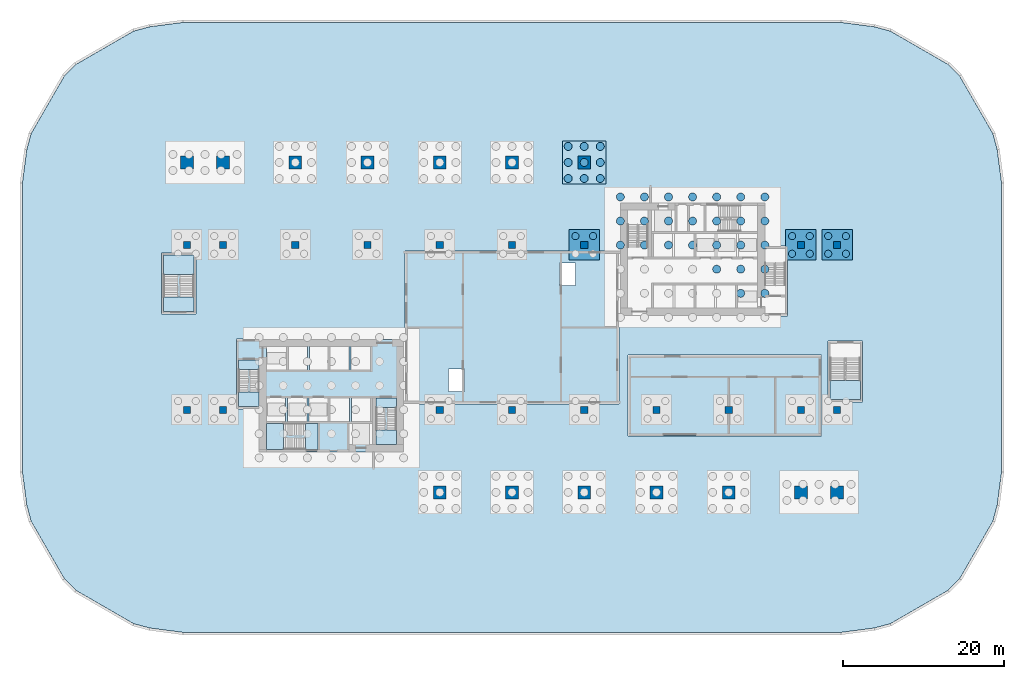
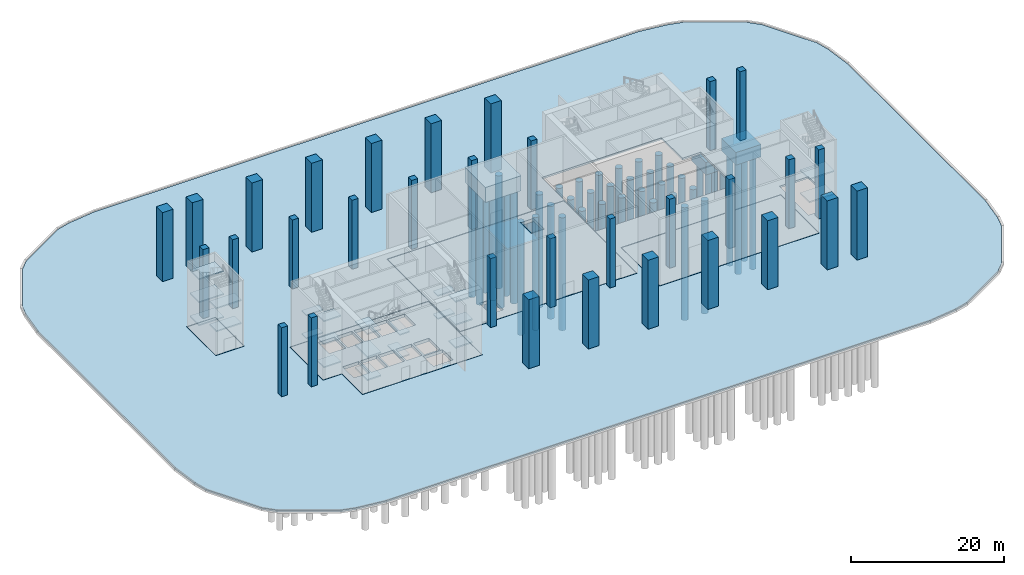
# One storey, part 2 of 26: 45 piles, 32 columns, 27 slabs, 4 footings, 5 elements without a shape of their own.
"""IFC4 building model written with IfcOpenShell, lengths in metres."""

from ifc_helpers import new_model, si_unit, direction, frame, origin, origin_2d, place, context, subcontext, project, spatial, polyline, rectangle, circle, outline, extrude, material, layer, layer_set, material_profile, profile_set, type_object, element, aggregate, save


model = new_model("IFC4")

# Units and contexts
model_context = context("Model", 3, precision=1e-05, world=origin(), true_north=direction((0.0, 1.0)))
body_context = subcontext(model_context, "Body", "Model", "MODEL_VIEW")
ifc_project = project(units=[si_unit("LENGTHUNIT", "METRE"), si_unit("AREAUNIT", "SQUARE_METRE"), si_unit("VOLUMEUNIT", "CUBIC_METRE"), si_unit("PLANEANGLEUNIT", "RADIAN"), si_unit("MASSUNIT", "GRAM", prefix="KILO")], contexts=[model_context])

# Site, building, storey
site_placement = place(None, origin())
site = spatial("IfcSite", under=ifc_project, at=site_placement, CompositionType="ELEMENT")
building_placement = place(site_placement, origin())
building = spatial("IfcBuilding", under=site, at=building_placement, Name="Kajstack Hotel Tower", CompositionType="ELEMENT")
storey_placement = place(building_placement, origin())
storey = spatial("IfcBuildingStorey", under=building, at=storey_placement, Name="L00", CompositionType="ELEMENT", Elevation=0.0)

# Piles
ifc_material_1 = material(Name="Concrete C35/45", Category="concrete")
ifc_material_profile_1 = material_profile(ifc_material_1, circle(Radius=0.5, at=origin_2d()), Name="RC round 1000")
ifc_profile_set_1 = profile_set([ifc_material_profile_1], Name="Concrete C35/45")
pile_type_1 = type_object("IfcPileType", Name="Bored pile 1000 C35/45", PredefinedType="BORED", material=ifc_profile_set_1)
for number, where, z_axis, x_axis, name in (
    (1, (13.5, 10.25, -2.89990234375), (0.0, 0.0, -1.0), (1.0, 0.0, 0.0), "S-pile-E-04"),
    (2, (13.5, 13.25, -2.89990234375), (0.0, 0.0, -1.0), (1.0, 0.0, 0.0), "S-pile-E-05"),
    (3, (13.5, 16.25, -2.89990234375), (0.0, 0.0, -1.0), (1.0, 0.0, 0.0), "S-pile-E-06"),
    (4, (16.5, 10.25, -2.89990234375), (0.0, 0.0, -1.0), (1.0, 0.0, 0.0), "S-pile-E-10"),
    (5, (16.5, 13.25, -2.89990234375), (0.0, 0.0, -1.0), (1.0, 0.0, 0.0), "S-pile-E-11"),
    (6, (16.5, 16.25, -2.89990234375), (0.0, 0.0, -1.0), (1.0, 0.0, 0.0), "S-pile-E-12"),
    (7, (19.5, 10.25, -2.89990234375), (0.0, 0.0, -1.0), (1.0, 0.0, 0.0), "S-pile-E-16"),
    (8, (19.5, 13.25, -2.89990234375), (0.0, 0.0, -1.0), (1.0, 0.0, 0.0), "S-pile-E-17"),
    (9, (19.5, 16.25, -2.89990234375), (0.0, 0.0, -1.0), (1.0, 0.0, 0.0), "S-pile-E-18"),
    (10, (22.5, 10.25, -2.89990234375), (0.0, 0.0, -1.0), (1.0, 0.0, 0.0), "S-pile-E-22"),
    (11, (22.5, 13.25, -2.89990234375), (0.0, 0.0, -1.0), (1.0, 0.0, 0.0), "S-pile-E-23"),
    (12, (22.5, 16.25, -2.89990234375), (0.0, 0.0, -1.0), (1.0, 0.0, 0.0), "S-pile-E-24"),
    (13, (25.5, 7.25, -2.89990234375), (0.0, 0.0, -1.0), (1.0, 0.0, 0.0), "S-pile-E-27"),
    (14, (25.5, 10.25, -2.89990234375), (0.0, 0.0, -1.0), (1.0, 0.0, 0.0), "S-pile-E-28"),
    (15, (25.5, 13.25, -2.89990234375), (0.0, 0.0, -1.0), (1.0, 0.0, 0.0), "S-pile-E-29"),
    (16, (25.5, 16.25, -2.89990234375), (0.0, 0.0, -1.0), (1.0, 0.0, 0.0), "S-pile-E-30"),
    (17, (28.5, 4.25, -2.89990234375), (0.0, 0.0, -1.0), (1.0, 0.0, 0.0), "S-pile-E-32"),
    (18, (28.5, 7.25, -2.89990234375), (0.0, 0.0, -1.0), (1.0, 0.0, 0.0), "S-pile-E-33"),
    (19, (28.5, 10.25, -2.89990234375), (0.0, 0.0, -1.0), (1.0, 0.0, 0.0), "S-pile-E-34"),
    (20, (28.5, 13.25, -2.89990234375), (0.0, 0.0, -1.0), (1.0, 0.0, 0.0), "S-pile-E-35"),
    (21, (28.5, 16.25, -2.89990234375), (0.0, 0.0, -1.0), (1.0, 0.0, 0.0), "S-pile-E-36"),
    (22, (31.5, 4.25, -2.89990234375), (0.0, 0.0, -1.0), (1.0, 0.0, 0.0), "S-pile-E-38"),
    (23, (31.5, 7.25, -2.89990234375), (0.0, 0.0, -1.0), (1.0, 0.0, 0.0), "S-pile-E-39"),
    (24, (31.5, 10.25, -2.89990234375), (0.0, 0.0, -1.0), (1.0, 0.0, 0.0), "S-pile-E-40"),
    (25, (31.5, 13.25, -2.89990234375), (0.0, 0.0, -1.0), (1.0, 0.0, 0.0), "S-pile-E-41"),
    (26, (31.5, 16.25, -2.89990234375), (0.0, 0.0, -1.0), (1.0, 0.0, 0.0), "S-pile-E-42"),
    (27, (7.0, 18.550048828125, -2.800048828125), (0.0, 0.0, -1.0), (1.0, 0.0, 0.0), "S-pile-mega-+9p0+20p6-1"),
    (28, (7.0, 20.550048828125, -2.800048828125), (0.0, 0.0, -1.0), (1.0, 0.0, 0.0), "S-pile-mega-+9p0+20p6-2"),
    (29, (7.0, 22.550048828125, -2.800048828125), (0.0, 0.0, -1.0), (1.0, 0.0, 0.0), "S-pile-mega-+9p0+20p6-3"),
    (30, (9.0, 18.550048828125, -2.800048828125), (0.0, 0.0, -1.0), (1.0, 0.0, 0.0), "S-pile-mega-+9p0+20p6-4"),
    (31, (9.0, 20.550048828125, -2.800048828125), (0.0, 0.0, -1.0), (1.0, 0.0, 0.0), "S-pile-mega-+9p0+20p6-5"),
    (32, (9.0, 22.550048828125, -2.800048828125), (0.0, 0.0, -1.0), (1.0, 0.0, 0.0), "S-pile-mega-+9p0+20p6-6"),
    (33, (11.0, 18.550048828125, -2.800048828125), (0.0, 0.0, -1.0), (1.0, 0.0, 0.0), "S-pile-mega-+9p0+20p6-7"),
    (34, (11.0, 20.550048828125, -2.800048828125), (0.0, 0.0, -1.0), (1.0, 0.0, 0.0), "S-pile-mega-+9p0+20p6-8"),
    (35, (11.0, 22.550048828125, -2.800048828125), (0.0, 0.0, -1.0), (1.0, 0.0, 0.0), "S-pile-mega-+9p0+20p6-9"),
):
    element("IfcPile", number, at=place(storey_placement, frame(where, z_axis=z_axis, x_axis=x_axis)), inside=storey, type_object=pile_type_1, Name=name, PredefinedType="BORED", context=body_context, shape_type="SweptSolid", body=[
        extrude(circle(Radius=0.5, at=origin_2d()), origin(), (0.0, 0.0, 1.0), 18.0),
    ])
ifc_material_profile_2 = material_profile(ifc_material_1, circle(Radius=0.449951171875, at=origin_2d()), Name="RC round 900")
ifc_profile_set_2 = profile_set([ifc_material_profile_2], Name="Concrete C35/45")
pile_type_2 = type_object("IfcPileType", Name="Bored pile 900 C35/45", PredefinedType="BORED", material=ifc_profile_set_2)
for number, where, z_axis, x_axis, name in (
    (36, (7.89990234375, 11.375, -2.39990234375), (0.0, 0.0, -1.0), (1.0, 0.0, 0.0), "S-pile-interior-+9p0+10p3-3"),
    (37, (10.10009765625, 11.375, -2.39990234375), (0.0, 0.0, -1.0), (1.0, 0.0, 0.0), "S-pile-interior-+9p0+10p3-4"),
    (38, (34.89990234375, 9.175048828125, -2.39990234375), (0.0, 0.0, -1.0), (1.0, 0.0, 0.0), "S-pile-interior-+36p0+10p3-1"),
    (39, (37.10009765625, 9.175048828125, -2.39990234375), (0.0, 0.0, -1.0), (1.0, 0.0, 0.0), "S-pile-interior-+36p0+10p3-2"),
    (40, (34.89990234375, 11.375, -2.39990234375), (0.0, 0.0, -1.0), (1.0, 0.0, 0.0), "S-pile-interior-+36p0+10p3-3"),
    (41, (37.10009765625, 11.375, -2.39990234375), (0.0, 0.0, -1.0), (1.0, 0.0, 0.0), "S-pile-interior-+36p0+10p3-4"),
    (42, (39.39990234375, 9.175048828125, -2.39990234375), (0.0, 0.0, -1.0), (1.0, 0.0, 0.0), "S-pile-interior-+40p5+10p3-1"),
    (43, (41.60009765625, 9.175048828125, -2.39990234375), (0.0, 0.0, -1.0), (1.0, 0.0, 0.0), "S-pile-interior-+40p5+10p3-2"),
    (44, (39.39990234375, 11.375, -2.39990234375), (0.0, 0.0, -1.0), (1.0, 0.0, 0.0), "S-pile-interior-+40p5+10p3-3"),
    (45, (41.60009765625, 11.375, -2.39990234375), (0.0, 0.0, -1.0), (1.0, 0.0, 0.0), "S-pile-interior-+40p5+10p3-4"),
):
    element("IfcPile", number, at=place(storey_placement, frame(where, z_axis=z_axis, x_axis=x_axis)), inside=storey, type_object=pile_type_2, Name=name, PredefinedType="BORED", context=body_context, shape_type="SweptSolid", body=[
        extrude(circle(Radius=0.449951171875, at=origin_2d()), origin(), (0.0, 0.0, 1.0), 18.0),
    ])

# Footings
ifc_material_2 = material(Name="Concrete C40/50", Category="concrete")
ifc_layer_1 = layer(ifc_material_2, 2.0)
ifc_layer_set_1 = layer_set([ifc_layer_1], Name="Column cap 3800 C40/50")
footing_type_1 = type_object("IfcFootingType", Name="Column cap 3800 C40/50", PredefinedType="PILE_CAP", material=ifc_layer_set_1)
for number, where, z_axis, x_axis, name in (
    (46, (9.0, 10.27490234375, -2.5), (0.0, 0.0, 1.0), (1.0, 0.0, 0.0), "S-cap-interior-+9p0+10p3"),
    (47, (36.0, 10.27490234375, -2.5), (0.0, 0.0, 1.0), (1.0, 0.0, 0.0), "S-cap-interior-+36p0+10p3"),
    (48, (40.5, 10.27490234375, -2.5), (0.0, 0.0, 1.0), (1.0, 0.0, 0.0), "S-cap-interior-+40p5+10p3"),
):
    element("IfcFooting", number, at=place(storey_placement, frame(where, z_axis=z_axis, x_axis=x_axis)), inside=storey, type_object=footing_type_1, Name=name, PredefinedType="PILE_CAP", context=body_context, shape_type="SweptSolid", body=[
        extrude(rectangle(XDim=3.800048828125, YDim=3.800048828125, at=origin_2d()), origin(), (0.0, 0.0, 1.0), 2.0),
    ])
ifc_layer_2 = layer(ifc_material_2, 2.39990234375)
ifc_layer_set_2 = layer_set([ifc_layer_2], Name="Mega-column cap 5400 C40/50")
footing_type_2 = type_object("IfcFootingType", Name="Mega-column cap 5400 C40/50", PredefinedType="PILE_CAP", material=ifc_layer_set_2)
footing_placement = place(storey_placement, frame((9.0, 20.550048828125, -2.89990234375), z_axis=(0.0, 0.0, 1.0), x_axis=(1.0, 0.0, 0.0)))
element("IfcFooting", 49, at=footing_placement, inside=storey, type_object=footing_type_2, Name="S-cap-mega-+9p0+20p6", PredefinedType="PILE_CAP", context=body_context, shape_type="SweptSolid", body=[
    extrude(rectangle(XDim=5.39990234375, YDim=5.39990234375, at=origin_2d()), origin(), (0.0, 0.0, 1.0), 2.39990234375),
])

# Columns
ifc_material_3 = material(Name="Concrete C70/85", Category="concrete")
ifc_material_profile_3 = material_profile(ifc_material_3, rectangle(XDim=1.60009765625, YDim=1.60009765625, at=origin_2d()), Name="RC 1600x1600")
ifc_profile_set_3 = profile_set([ifc_material_profile_3], Name="Concrete C70/85")
column_type_1 = type_object("IfcColumnType", Name="RC 1600x1600 C70/85", PredefinedType="COLUMN", material=ifc_profile_set_3)
for number, where, z_axis, x_axis, name in (
    (50, (-40.5, 20.550048828125, -0.5), (0.0, 0.0, 1.0), (1.0, 0.0, 0.0), "S-col-mega-L00--40p5+20p6"),
    (51, (-36.0, 20.550048828125, -0.5), (0.0, 0.0, 1.0), (1.0, 0.0, 0.0), "S-col-mega-L00--36p0+20p6"),
    (52, (-27.0, 20.550048828125, -0.5), (0.0, 0.0, 1.0), (1.0, 0.0, 0.0), "S-col-mega-L00--27p0+20p6"),
    (53, (-18.0, 20.550048828125, -0.5), (0.0, 0.0, 1.0), (1.0, 0.0, 0.0), "S-col-mega-L00--18p0+20p6"),
    (54, (-9.0, -20.550048828125, -0.5), (0.0, 0.0, 1.0), (1.0, 0.0, 0.0), "S-col-mega-L00--9p0-20p6"),
    (55, (-9.0, 20.550048828125, -0.5), (0.0, 0.0, 1.0), (1.0, 0.0, 0.0), "S-col-mega-L00--9p0+20p6"),
    (56, (0.0, -20.550048828125, -0.5), (0.0, 0.0, 1.0), (1.0, 0.0, 0.0), "S-col-mega-L00-+0p0-20p6"),
    (57, (0.0, 20.550048828125, -0.5), (0.0, 0.0, 1.0), (1.0, 0.0, 0.0), "S-col-mega-L00-+0p0+20p6"),
    (58, (9.0, -20.550048828125, -0.5), (0.0, 0.0, 1.0), (1.0, 0.0, 0.0), "S-col-mega-L00-+9p0-20p6"),
    (59, (9.0, 20.550048828125, -0.5), (0.0, 0.0, 1.0), (1.0, 0.0, 0.0), "S-col-mega-L00-+9p0+20p6"),
    (60, (18.0, -20.550048828125, -0.5), (0.0, 0.0, 1.0), (1.0, 0.0, 0.0), "S-col-mega-L00-+18p0-20p6"),
    (61, (27.0, -20.550048828125, -0.5), (0.0, 0.0, 1.0), (1.0, 0.0, 0.0), "S-col-mega-L00-+27p0-20p6"),
    (62, (36.0, -20.550048828125, -0.5), (0.0, 0.0, 1.0), (1.0, 0.0, 0.0), "S-col-mega-L00-+36p0-20p6"),
    (63, (40.5, -20.550048828125, -0.5), (0.0, 0.0, 1.0), (1.0, 0.0, 0.0), "S-col-mega-L00-+40p5-20p6"),
):
    element("IfcColumn", number, at=place(storey_placement, frame(where, z_axis=z_axis, x_axis=x_axis)), inside=storey, type_object=column_type_1, Name=name, PredefinedType="COLUMN", context=body_context, shape_type="SweptSolid", body=[
        extrude(rectangle(XDim=1.60009765625, YDim=1.60009765625, at=origin_2d()), origin(), (0.0, 0.0, 1.0), 11.5),
    ])
ifc_material_4 = material(Name="Concrete C50/60", Category="concrete")
ifc_material_profile_4 = material_profile(ifc_material_4, rectangle(XDim=0.89990234375, YDim=0.89990234375, at=origin_2d()), Name="RC 900x900")
ifc_profile_set_4 = profile_set([ifc_material_profile_4], Name="Concrete C50/60")
column_type_2 = type_object("IfcColumnType", Name="RC 900x900 C50/60", PredefinedType="COLUMN", material=ifc_profile_set_4)
for number, where, z_axis, x_axis, name in (
    (64, (-40.5, -10.27490234375, -0.5), (0.0, 0.0, 1.0), (1.0, 0.0, 0.0), "S-col-int-L00--40p5-10p3"),
    (65, (-40.5, 10.27490234375, -0.5), (0.0, 0.0, 1.0), (1.0, 0.0, 0.0), "S-col-int-L00--40p5+10p3"),
    (66, (-36.0, -10.27490234375, -0.5), (0.0, 0.0, 1.0), (1.0, 0.0, 0.0), "S-col-int-L00--36p0-10p3"),
    (67, (-36.0, 10.27490234375, -0.5), (0.0, 0.0, 1.0), (1.0, 0.0, 0.0), "S-col-int-L00--36p0+10p3"),
    (68, (-27.0, 10.27490234375, -0.5), (0.0, 0.0, 1.0), (1.0, 0.0, 0.0), "S-col-int-L00--27p0+10p3"),
    (69, (-18.0, 10.27490234375, -0.5), (0.0, 0.0, 1.0), (1.0, 0.0, 0.0), "S-col-int-L00--18p0+10p3"),
    (70, (-9.0, -10.27490234375, -0.5), (0.0, 0.0, 1.0), (1.0, 0.0, 0.0), "S-col-int-L00--9p0-10p3"),
    (71, (-9.0, 10.27490234375, -0.5), (0.0, 0.0, 1.0), (1.0, 0.0, 0.0), "S-col-int-L00--9p0+10p3"),
    (72, (0.0, -10.27490234375, -0.5), (0.0, 0.0, 1.0), (1.0, 0.0, 0.0), "S-col-int-L00-+0p0-10p3"),
    (73, (0.0, 10.27490234375, -0.5), (0.0, 0.0, 1.0), (1.0, 0.0, 0.0), "S-col-int-L00-+0p0+10p3"),
    (74, (9.0, -10.27490234375, -0.5), (0.0, 0.0, 1.0), (1.0, 0.0, 0.0), "S-col-int-L00-+9p0-10p3"),
    (75, (9.0, 10.27490234375, -0.5), (0.0, 0.0, 1.0), (1.0, 0.0, 0.0), "S-col-int-L00-+9p0+10p3"),
    (76, (18.0, -10.27490234375, -0.5), (0.0, 0.0, 1.0), (1.0, 0.0, 0.0), "S-col-int-L00-+18p0-10p3"),
    (77, (27.0, -10.27490234375, -0.5), (0.0, 0.0, 1.0), (1.0, 0.0, 0.0), "S-col-int-L00-+27p0-10p3"),
    (78, (36.0, -10.27490234375, -0.5), (0.0, 0.0, 1.0), (1.0, 0.0, 0.0), "S-col-int-L00-+36p0-10p3"),
    (79, (36.0, 10.27490234375, -0.5), (0.0, 0.0, 1.0), (1.0, 0.0, 0.0), "S-col-int-L00-+36p0+10p3"),
    (80, (40.5, -10.27490234375, -0.5), (0.0, 0.0, 1.0), (1.0, 0.0, 0.0), "S-col-int-L00-+40p5-10p3"),
    (81, (40.5, 10.27490234375, -0.5), (0.0, 0.0, 1.0), (1.0, 0.0, 0.0), "S-col-int-L00-+40p5+10p3"),
):
    element("IfcColumn", number, at=place(storey_placement, frame(where, z_axis=z_axis, x_axis=x_axis)), inside=storey, type_object=column_type_2, Name=name, PredefinedType="COLUMN", context=body_context, shape_type="SweptSolid", body=[
        extrude(rectangle(XDim=0.89990234375, YDim=0.89990234375, at=origin_2d()), origin(), (0.0, 0.0, 1.0), 11.5),
    ])

# Slabs
ifc_layer_3 = layer(ifc_material_1, 0.5)
ifc_layer_set_3 = layer_set([ifc_layer_3], Name="Ground slab 500")
slab_type_1 = type_object("IfcSlabType", Name="Ground slab 500", PredefinedType="BASESLAB", material=ifc_layer_set_3)
slab_1_placement = place(storey_placement, frame((0.0, 0.0, -0.5)))
element("IfcSlab", 82, at=slab_1_placement, inside=storey, type_object=slab_type_1, Name="Ground slab", PredefinedType="BASESLAB", context=body_context, shape_type="SweptSolid", body=[
    extrude(outline(polyline([(13.300048828125, -9.5), (-13.300048828125, -9.5), (-13.300048828125, 9.5), (13.300048828125, 9.5), (13.300048828125, -9.5)]), holes=[polyline([(-7.89990234375, -8.0), (-5.89990234375, -8.0), (-5.89990234375, -5.199951171875), (-7.89990234375, -5.199951171875), (-7.89990234375, -8.0)]), polyline([(7.89990234375, 8.0), (5.89990234375, 8.0), (5.89990234375, 5.199951171875), (7.89990234375, 5.199951171875), (7.89990234375, 8.0)])]), origin(), (0.0, 0.0, 1.0), 0.5),
])
slab_2_placement = place(storey_placement, frame((0.0, 0.0, -0.5)))
element("IfcSlab", 83, at=slab_2_placement, inside=storey, type_object=slab_type_1, Name="Ground slab", PredefinedType="BASESLAB", context=body_context, shape_type="SweptSolid", body=[
    extrude(outline(polyline([(38.5, -13.5), (14.5, -13.5), (14.5, -3.5), (38.5, -3.5), (38.5, -13.5)])), origin(), (0.0, 0.0, 1.0), 0.5),
])
slab_3_placement = place(storey_placement, frame((0.0, 0.0, -0.5)))
element("IfcSlab", 84, at=slab_3_placement, inside=storey, type_object=slab_type_1, Name="Ground slab", PredefinedType="BASESLAB", context=body_context, shape_type="SweptSolid", body=[
    extrude(outline(polyline([(-13.5, -1.5), (-13.5, -15.5), (-31.5, -15.5), (-31.5, -10.10009765625), (-34.300048828125, -10.10009765625), (-34.300048828125, -1.5), (-31.5, -1.5), (-13.5, -1.5)]), holes=[polyline([(-30.60009765625, -11.699951171875), (-28.199951171875, -11.699951171875), (-28.199951171875, -8.800048828125), (-30.60009765625, -8.800048828125), (-30.60009765625, -11.699951171875)]), polyline([(-27.949951171875, -11.699951171875), (-25.550048828125, -11.699951171875), (-25.550048828125, -8.800048828125), (-27.949951171875, -8.800048828125), (-27.949951171875, -11.699951171875)]), polyline([(-25.300048828125, -11.699951171875), (-22.89990234375, -11.699951171875), (-22.89990234375, -8.800048828125), (-25.300048828125, -8.800048828125), (-25.300048828125, -11.699951171875)]), polyline([(-22.64990234375, -11.699951171875), (-20.25, -11.699951171875), (-20.25, -8.800048828125), (-22.64990234375, -8.800048828125), (-22.64990234375, -11.699951171875)]), polyline([(-20.0, -11.699951171875), (-17.60009765625, -11.699951171875), (-17.60009765625, -8.800048828125), (-20.0, -8.800048828125), (-20.0, -11.699951171875)]), polyline([(-27.85009765625, -5.300048828125), (-25.5, -5.300048828125), (-25.5, -2.39990234375), (-27.85009765625, -2.39990234375), (-27.85009765625, -5.300048828125)]), polyline([(-25.25, -5.300048828125), (-22.89990234375, -5.300048828125), (-22.89990234375, -2.39990234375), (-25.25, -2.39990234375), (-25.25, -5.300048828125)]), polyline([(-22.64990234375, -5.300048828125), (-20.300048828125, -5.300048828125), (-20.300048828125, -2.39990234375), (-22.64990234375, -2.39990234375), (-22.64990234375, -5.300048828125)]), polyline([(-20.050048828125, -5.300048828125), (-17.60009765625, -5.300048828125), (-17.60009765625, -2.39990234375), (-20.050048828125, -2.39990234375), (-20.050048828125, -5.300048828125)]), polyline([(-20.300048828125, -14.60009765625), (-17.35009765625, -14.60009765625), (-17.35009765625, -11.949951171875), (-20.300048828125, -11.949951171875), (-20.300048828125, -14.60009765625)]), polyline([(-30.60009765625, -5.300048828125), (-28.10009765625, -5.300048828125), (-28.10009765625, -2.39990234375), (-30.60009765625, -2.39990234375), (-30.60009765625, -5.300048828125)])]), origin(), (0.0, 0.0, 1.0), 0.5),
])
slab_4_placement = place(storey_placement, frame((0.0, 0.0, -0.5)))
element("IfcSlab", 85, at=slab_4_placement, inside=storey, type_object=slab_type_1, Name="Ground slab", PredefinedType="BASESLAB", context=body_context, shape_type="SweptSolid", body=[
    extrude(outline(polyline([(-39.39990234375, 1.75), (-43.64990234375, 1.75), (-43.64990234375, 9.25), (-39.39990234375, 9.25), (-39.39990234375, 1.75)])), origin(), (0.0, 0.0, 1.0), 0.5),
])
ifc_material_5 = material(Name="Concrete C30/37", Category="concrete")
ifc_layer_4 = layer(ifc_material_5, 0.300048828125)
ifc_layer_set_4 = layer_set([ifc_layer_4], Name="SLAB-PAVING")
slab_type_2 = type_object("IfcSlabType", Name="SLAB-PAVING", PredefinedType="BASESLAB", material=ifc_layer_set_4)
slab_5_placement = place(storey_placement, frame((0.0, 0.0, -0.300048828125)))
element("IfcSlab", 86, at=slab_5_placement, inside=storey, type_object=slab_type_2, Name="Plaza paving", PredefinedType="BASESLAB", context=body_context, shape_type="SweptSolid", body=[
    extrude(outline(polyline([(-60.455078125, -22.14111328125), (-59.9189453125, -24.14111328125), (-55.778076171875, -31.31396484375), (-54.31396484375, -32.778076171875), (-47.14111328125, -36.9189453125), (-45.14111328125, -37.455078125), (-41.0, -38.0), (41.0, -38.0), (45.14111328125, -37.455078125), (47.14111328125, -36.9189453125), (54.31396484375, -32.778076171875), (55.778076171875, -31.31396484375), (59.9189453125, -24.14111328125), (60.455078125, -22.14111328125), (61.0, -18.0), (61.0, 18.0), (60.455078125, 22.14111328125), (59.9189453125, 24.14111328125), (55.778076171875, 31.31396484375), (54.31396484375, 32.778076171875), (47.14111328125, 36.9189453125), (45.14111328125, 37.455078125), (41.0, 38.0), (-41.0, 38.0), (-45.14111328125, 37.455078125), (-47.14111328125, 36.9189453125), (-54.31396484375, 32.778076171875), (-55.778076171875, 31.31396484375), (-59.9189453125, 24.14111328125), (-60.455078125, 22.14111328125), (-61.0, 18.0), (-61.0, -18.0), (-60.455078125, -22.14111328125)]), holes=[polyline([(13.35009765625, -9.550048828125), (-13.35009765625, -9.550048828125), (-13.35009765625, 9.550048828125), (13.35009765625, 9.550048828125), (13.35009765625, -9.550048828125)]), polyline([(38.550048828125, -13.550048828125), (14.449951171875, -13.550048828125), (14.449951171875, -3.449951171875), (38.550048828125, -3.449951171875), (38.550048828125, -13.550048828125)]), polyline([(-13.449951171875, -1.449951171875), (-13.449951171875, -15.550048828125), (-31.550048828125, -15.550048828125), (-31.550048828125, -10.14990234375), (-34.35009765625, -10.14990234375), (-34.35009765625, -1.449951171875), (-13.449951171875, -1.449951171875)]), polyline([(13.449951171875, 1.449951171875), (13.449951171875, 15.550048828125), (31.550048828125, 15.550048828125), (31.550048828125, 10.14990234375), (34.35009765625, 10.14990234375), (34.35009765625, 1.449951171875), (13.449951171875, 1.449951171875)]), polyline([(-39.35009765625, 1.699951171875), (-43.699951171875, 1.699951171875), (-43.699951171875, 9.300048828125), (-39.35009765625, 9.300048828125), (-39.35009765625, 1.699951171875)]), polyline([(39.35009765625, -1.699951171875), (43.699951171875, -1.699951171875), (43.699951171875, -9.300048828125), (39.35009765625, -9.300048828125), (39.35009765625, -1.699951171875)])]), origin(), (0.0, 0.0, 1.0), 0.300048828125),
])

# Stair, slabs
stair_type_1 = type_object("IfcStairType", Name="Exit stair 1200", PredefinedType="HALF_TURN_STAIR", material=ifc_material_2)
stair_1_placement = place(storey_placement, origin())
stair_1 = element("IfcStair", 87, at=stair_1_placement, inside=storey, type_object=stair_type_1, Name="L00 stair W1", PredefinedType="HALF_TURN_STAIR")
ifc_layer_5 = layer(ifc_material_2, 0.199951171875)
ifc_layer_set_5 = layer_set([ifc_layer_5], Name="Stair landing 200")
slab_type_3 = type_object("IfcSlabType", Name="Stair landing 200", PredefinedType="LANDING", material=ifc_layer_set_5)
slab_6_placement = place(storey_placement, frame((0.0, 0.0, 1.63330078125)))
slab_6 = element("IfcSlab", 88, at=slab_6_placement, type_object=slab_type_3, Name="W1 landing 1", PredefinedType="LANDING", context=body_context, shape_type="SweptSolid", body=[
    extrude(outline(polyline([(-34.050048828125, -8.050048828125), (-34.050048828125, -9.85009765625), (-31.5, -9.85009765625), (-31.5, -8.050048828125), (-34.050048828125, -8.050048828125)])), origin(), (0.0, 0.0, 1.0), 0.199951171875),
])
slab_7_placement = place(storey_placement, frame((0.0, 0.0, 3.466552734375)))
slab_7 = element("IfcSlab", 89, at=slab_7_placement, type_object=slab_type_3, Name="W1 landing 2", PredefinedType="LANDING", context=body_context, shape_type="SweptSolid", body=[
    extrude(outline(polyline([(-34.050048828125, -4.050048828125), (-34.050048828125, -5.25), (-31.5, -5.25), (-31.5, -4.050048828125), (-34.050048828125, -4.050048828125)])), origin(), (0.0, 0.0, 1.0), 0.2001953125),
])
slab_8_placement = place(storey_placement, frame((0.0, 0.0, 5.300048828125)))
slab_8 = element("IfcSlab", 90, at=slab_8_placement, type_object=slab_type_3, Name="W1 landing 3", PredefinedType="LANDING", context=body_context, shape_type="SweptSolid", body=[
    extrude(outline(polyline([(-34.050048828125, -8.050048828125), (-34.050048828125, -9.85009765625), (-31.5, -9.85009765625), (-31.5, -8.050048828125), (-34.050048828125, -8.050048828125)])), origin(), (0.0, 0.0, 1.0), 0.199951171875),
])
slab_9_placement = place(storey_placement, frame((0.0, 0.0, 7.13330078125)))
slab_9 = element("IfcSlab", 91, at=slab_9_placement, type_object=slab_type_3, Name="W1 landing 4", PredefinedType="LANDING", context=body_context, shape_type="SweptSolid", body=[
    extrude(outline(polyline([(-34.050048828125, -4.050048828125), (-34.050048828125, -5.25), (-31.5, -5.25), (-31.5, -4.050048828125), (-34.050048828125, -4.050048828125)])), origin(), (0.0, 0.0, 1.0), 0.199951171875),
])
slab_10_placement = place(storey_placement, frame((0.0, 0.0, 8.966552734375)))
slab_10 = element("IfcSlab", 92, at=slab_10_placement, type_object=slab_type_3, Name="W1 landing 5", PredefinedType="LANDING", context=body_context, shape_type="SweptSolid", body=[
    extrude(outline(polyline([(-34.050048828125, -8.050048828125), (-34.050048828125, -9.85009765625), (-31.5, -9.85009765625), (-31.5, -8.050048828125), (-34.050048828125, -8.050048828125)])), origin(), (0.0, 0.0, 1.0), 0.2001953125),
])
aggregate(stair_1, [slab_6, slab_7, slab_8, slab_9, slab_10])

stair_2_placement = place(storey_placement, origin())
stair_2 = element("IfcStair", 93, at=stair_2_placement, inside=storey, type_object=stair_type_1, Name="L00 stair W2", PredefinedType="HALF_TURN_STAIR")
slab_11_placement = place(storey_placement, frame((0.0, 0.0, 1.63330078125)))
slab_11 = element("IfcSlab", 94, at=slab_11_placement, type_object=slab_type_3, Name="W2 landing 1", PredefinedType="LANDING", context=body_context, shape_type="SweptSolid", body=[
    extrude(outline(polyline([(-16.949951171875, -12.800048828125), (-16.949951171875, -14.60009765625), (-14.39990234375, -14.60009765625), (-14.39990234375, -12.800048828125), (-16.949951171875, -12.800048828125)])), origin(), (0.0, 0.0, 1.0), 0.199951171875),
])
slab_12_placement = place(storey_placement, frame((0.0, 0.0, 3.466552734375)))
slab_12 = element("IfcSlab", 95, at=slab_12_placement, type_object=slab_type_3, Name="W2 landing 2", PredefinedType="LANDING", context=body_context, shape_type="SweptSolid", body=[
    extrude(outline(polyline([(-16.949951171875, -8.800048828125), (-16.949951171875, -10.0), (-14.39990234375, -10.0), (-14.39990234375, -8.800048828125), (-16.949951171875, -8.800048828125)])), origin(), (0.0, 0.0, 1.0), 0.2001953125),
])
slab_13_placement = place(storey_placement, frame((0.0, 0.0, 5.300048828125)))
slab_13 = element("IfcSlab", 96, at=slab_13_placement, type_object=slab_type_3, Name="W2 landing 3", PredefinedType="LANDING", context=body_context, shape_type="SweptSolid", body=[
    extrude(outline(polyline([(-16.949951171875, -12.800048828125), (-16.949951171875, -14.60009765625), (-14.39990234375, -14.60009765625), (-14.39990234375, -12.800048828125), (-16.949951171875, -12.800048828125)])), origin(), (0.0, 0.0, 1.0), 0.199951171875),
])
slab_14_placement = place(storey_placement, frame((0.0, 0.0, 7.13330078125)))
slab_14 = element("IfcSlab", 97, at=slab_14_placement, type_object=slab_type_3, Name="W2 landing 4", PredefinedType="LANDING", context=body_context, shape_type="SweptSolid", body=[
    extrude(outline(polyline([(-16.949951171875, -8.800048828125), (-16.949951171875, -10.0), (-14.39990234375, -10.0), (-14.39990234375, -8.800048828125), (-16.949951171875, -8.800048828125)])), origin(), (0.0, 0.0, 1.0), 0.199951171875),
])
slab_15_placement = place(storey_placement, frame((0.0, 0.0, 8.966552734375)))
slab_15 = element("IfcSlab", 98, at=slab_15_placement, type_object=slab_type_3, Name="W2 landing 5", PredefinedType="LANDING", context=body_context, shape_type="SweptSolid", body=[
    extrude(outline(polyline([(-16.949951171875, -12.800048828125), (-16.949951171875, -14.60009765625), (-14.39990234375, -14.60009765625), (-14.39990234375, -12.800048828125), (-16.949951171875, -12.800048828125)])), origin(), (0.0, 0.0, 1.0), 0.2001953125),
])
aggregate(stair_2, [slab_11, slab_12, slab_13, slab_14, slab_15])

stair_type_2 = type_object("IfcStairType", Name="Exit stair 1500", PredefinedType="HALF_TURN_STAIR", material=ifc_material_2)
stair_3_placement = place(storey_placement, origin())
stair_3 = element("IfcStair", 99, at=stair_3_placement, inside=storey, type_object=stair_type_2, Name="L00 stair W3", PredefinedType="HALF_TURN_STAIR")
slab_16_placement = place(storey_placement, frame((0.0, 0.0, 1.63330078125)))
slab_16 = element("IfcSlab", 100, at=slab_16_placement, type_object=slab_type_3, Name="W3 landing 1", PredefinedType="LANDING", context=body_context, shape_type="SweptSolid", body=[
    extrude(outline(polyline([(-28.5, -11.949951171875), (-30.60009765625, -11.949951171875), (-30.60009765625, -15.199951171875), (-28.5, -15.199951171875), (-28.5, -11.949951171875)])), origin(), (0.0, 0.0, 1.0), 0.199951171875),
])
slab_17_placement = place(storey_placement, frame((0.0, 0.0, 3.466552734375)))
slab_17 = element("IfcSlab", 101, at=slab_17_placement, type_object=slab_type_3, Name="W3 landing 2", PredefinedType="LANDING", context=body_context, shape_type="SweptSolid", body=[
    extrude(outline(polyline([(-24.199951171875, -11.949951171875), (-25.699951171875, -11.949951171875), (-25.699951171875, -15.199951171875), (-24.199951171875, -15.199951171875), (-24.199951171875, -11.949951171875)])), origin(), (0.0, 0.0, 1.0), 0.2001953125),
])
slab_18_placement = place(storey_placement, frame((0.0, 0.0, 5.300048828125)))
slab_18 = element("IfcSlab", 102, at=slab_18_placement, type_object=slab_type_3, Name="W3 landing 3", PredefinedType="LANDING", context=body_context, shape_type="SweptSolid", body=[
    extrude(outline(polyline([(-28.5, -11.949951171875), (-30.60009765625, -11.949951171875), (-30.60009765625, -15.199951171875), (-28.5, -15.199951171875), (-28.5, -11.949951171875)])), origin(), (0.0, 0.0, 1.0), 0.199951171875),
])
slab_19_placement = place(storey_placement, frame((0.0, 0.0, 7.13330078125)))
slab_19 = element("IfcSlab", 103, at=slab_19_placement, type_object=slab_type_3, Name="W3 landing 4", PredefinedType="LANDING", context=body_context, shape_type="SweptSolid", body=[
    extrude(outline(polyline([(-24.199951171875, -11.949951171875), (-25.699951171875, -11.949951171875), (-25.699951171875, -15.199951171875), (-24.199951171875, -15.199951171875), (-24.199951171875, -11.949951171875)])), origin(), (0.0, 0.0, 1.0), 0.199951171875),
])
slab_20_placement = place(storey_placement, frame((0.0, 0.0, 8.966552734375)))
slab_20 = element("IfcSlab", 104, at=slab_20_placement, type_object=slab_type_3, Name="W3 landing 5", PredefinedType="LANDING", context=body_context, shape_type="SweptSolid", body=[
    extrude(outline(polyline([(-28.5, -11.949951171875), (-30.60009765625, -11.949951171875), (-30.60009765625, -15.199951171875), (-28.5, -15.199951171875), (-28.5, -11.949951171875)])), origin(), (0.0, 0.0, 1.0), 0.2001953125),
])
aggregate(stair_3, [slab_16, slab_17, slab_18, slab_19, slab_20])

stair_type_3 = type_object("IfcStairType", Name="Escape stair 1800", PredefinedType="HALF_TURN_STAIR", material=ifc_material_2)
stair_4_placement = place(storey_placement, origin())
stair_4 = element("IfcStair", 105, at=stair_4_placement, inside=storey, type_object=stair_type_3, Name="L00 stair P1", PredefinedType="HALF_TURN_STAIR")
slab_21_placement = place(storey_placement, frame((0.0, 0.0, 1.63330078125)))
slab_21 = element("IfcSlab", 106, at=slab_21_placement, type_object=slab_type_3, Name="P1 landing 1", PredefinedType="LANDING", context=body_context, shape_type="SweptSolid", body=[
    extrude(outline(polyline([(-39.64990234375, 6.60009765625), (-39.64990234375, 9.0), (-43.39990234375, 9.0), (-43.39990234375, 6.60009765625), (-39.64990234375, 6.60009765625)])), origin(), (0.0, 0.0, 1.0), 0.199951171875),
])
slab_22_placement = place(storey_placement, frame((0.0, 0.0, 3.466552734375)))
slab_22 = element("IfcSlab", 107, at=slab_22_placement, type_object=slab_type_3, Name="P1 landing 2", PredefinedType="LANDING", context=body_context, shape_type="SweptSolid", body=[
    extrude(outline(polyline([(-39.64990234375, 2.0), (-39.64990234375, 3.800048828125), (-43.39990234375, 3.800048828125), (-43.39990234375, 2.0), (-39.64990234375, 2.0)])), origin(), (0.0, 0.0, 1.0), 0.2001953125),
])
slab_23_placement = place(storey_placement, frame((0.0, 0.0, 5.300048828125)))
slab_23 = element("IfcSlab", 108, at=slab_23_placement, type_object=slab_type_3, Name="P1 landing 3", PredefinedType="LANDING", context=body_context, shape_type="SweptSolid", body=[
    extrude(outline(polyline([(-39.64990234375, 6.60009765625), (-39.64990234375, 9.0), (-43.39990234375, 9.0), (-43.39990234375, 6.60009765625), (-39.64990234375, 6.60009765625)])), origin(), (0.0, 0.0, 1.0), 0.199951171875),
])
slab_24_placement = place(storey_placement, frame((0.0, 0.0, 7.13330078125)))
slab_24 = element("IfcSlab", 109, at=slab_24_placement, type_object=slab_type_3, Name="P1 landing 4", PredefinedType="LANDING", context=body_context, shape_type="SweptSolid", body=[
    extrude(outline(polyline([(-39.64990234375, 2.0), (-39.64990234375, 3.800048828125), (-43.39990234375, 3.800048828125), (-43.39990234375, 2.0), (-39.64990234375, 2.0)])), origin(), (0.0, 0.0, 1.0), 0.199951171875),
])
slab_25_placement = place(storey_placement, frame((0.0, 0.0, 8.966552734375)))
slab_25 = element("IfcSlab", 110, at=slab_25_placement, type_object=slab_type_3, Name="P1 landing 5", PredefinedType="LANDING", context=body_context, shape_type="SweptSolid", body=[
    extrude(outline(polyline([(-39.64990234375, 6.60009765625), (-39.64990234375, 9.0), (-43.39990234375, 9.0), (-43.39990234375, 6.60009765625), (-39.64990234375, 6.60009765625)])), origin(), (0.0, 0.0, 1.0), 0.2001953125),
])
aggregate(stair_4, [slab_21, slab_22, slab_23, slab_24, slab_25])

stair_5_placement = place(storey_placement, origin())
stair_5 = element("IfcStair", 111, at=stair_5_placement, inside=storey, type_object=stair_type_3, Name="L00 stair P2", PredefinedType="HALF_TURN_STAIR")
slab_26_placement = place(storey_placement, frame((0.0, 0.0, 1.63330078125)))
slab_26 = element("IfcSlab", 112, at=slab_26_placement, type_object=slab_type_3, Name="P2 landing 1", PredefinedType="LANDING", context=body_context, shape_type="SweptSolid", body=[
    extrude(outline(polyline([(39.64990234375, -6.60009765625), (39.64990234375, -9.0), (43.39990234375, -9.0), (43.39990234375, -6.60009765625), (39.64990234375, -6.60009765625)])), origin(), (0.0, 0.0, 1.0), 0.199951171875),
])
slab_27_placement = place(storey_placement, frame((0.0, 0.0, 5.300048828125)))
slab_27 = element("IfcSlab", 113, at=slab_27_placement, type_object=slab_type_3, Name="P2 landing 3", PredefinedType="LANDING", context=body_context, shape_type="SweptSolid", body=[
    extrude(outline(polyline([(39.64990234375, -6.60009765625), (39.64990234375, -9.0), (43.39990234375, -9.0), (43.39990234375, -6.60009765625), (39.64990234375, -6.60009765625)])), origin(), (0.0, 0.0, 1.0), 0.199951171875),
])
aggregate(stair_5, [slab_26, slab_27])

save(model, "model.ifc")
